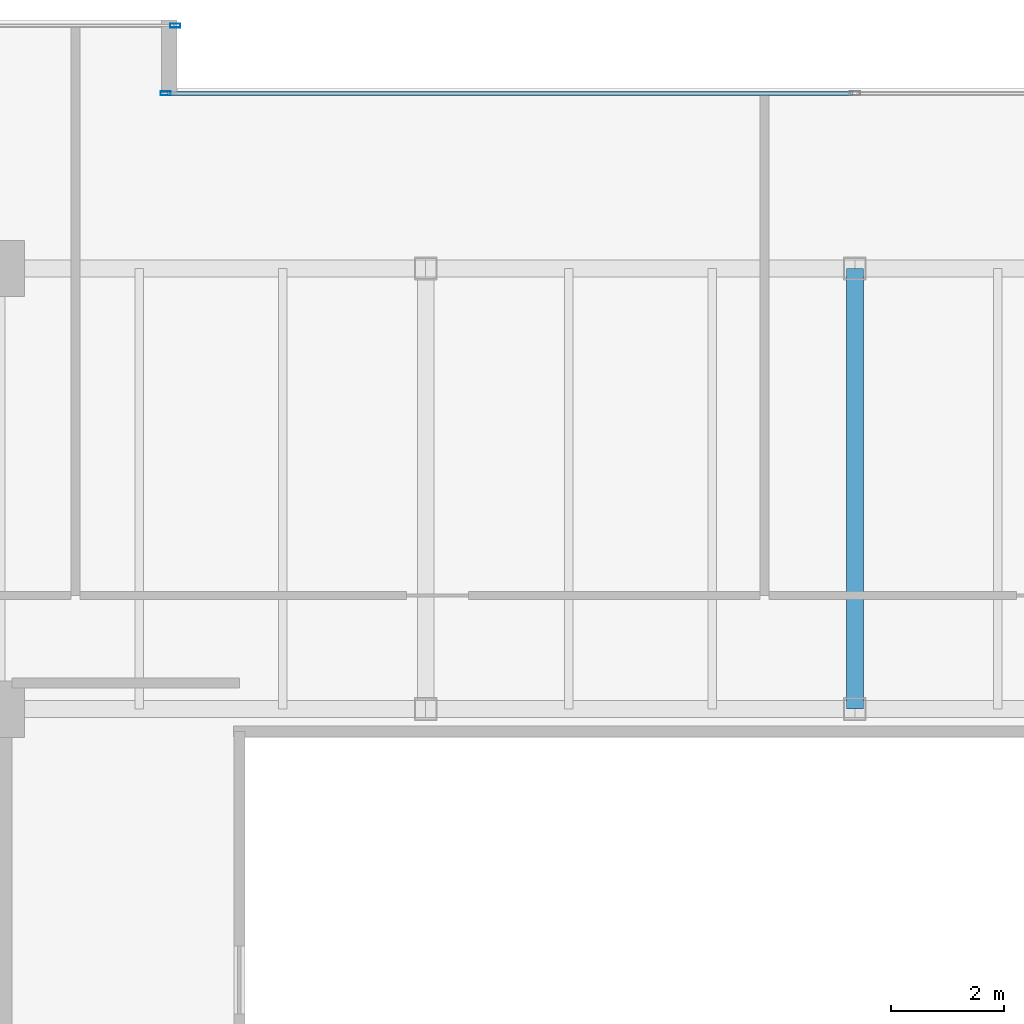
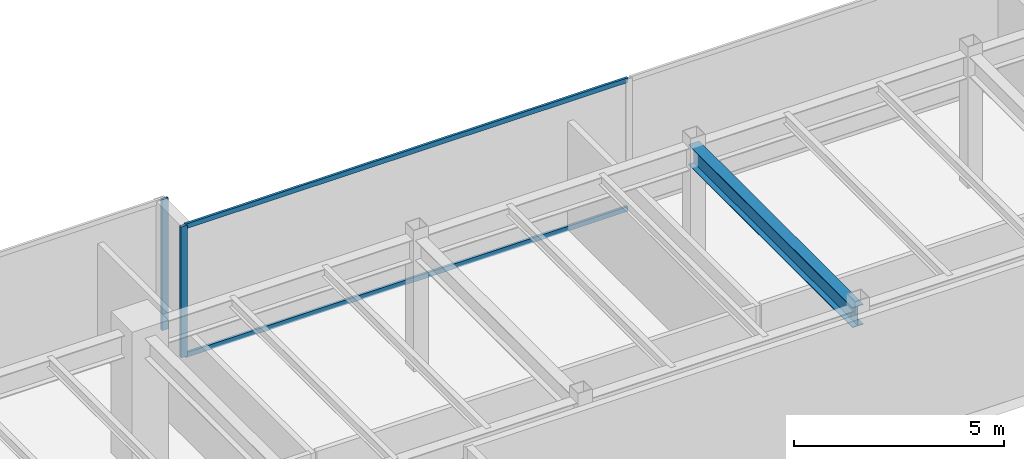
# One storey, part 17 of 33: 4 members, 1 beam, 2 elements without a shape of their own.
"""IFC4 building model written with IfcOpenShell, lengths in metres."""

import ifcopenshell
import ifcopenshell.guid

model = None  # the IFC model being written
_history = None  # IfcOwnerHistory: only IFC2X3 demands one
_inside = {}  # id of a spatial element -> (the spatial element, [elements in it])
_under = {}  # id of a project, library or spatial element -> (it, [spatial elements below it])
_declared = {}  # id of a project -> (the project, [libraries it declares])
_typed = {}  # id of a type object -> (the type object, [elements of that type])
_made_of = {}  # id of a material, layer set ... -> (it, [elements and type objects made of it])


def new_model(schema):
    """Start an empty IFC model of exactly this schema.

    Asked for "IFC4X3", IfcOpenShell would pick the latest addendum, in which some entities
    have other attributes; the version numbers below select the first issue.
    IFC2X3 requires an IfcOwnerHistory on every rooted entity: one is made here for all.
    """
    global model, _history
    if schema == "IFC4X3":
        model = ifcopenshell.file(schema_version=(4, 3, 0, 0))
    else:
        model = ifcopenshell.file(schema=schema)
    _inside.clear()
    _under.clear()
    _declared.clear()
    _typed.clear()
    _made_of.clear()
    _history = None
    if model.schema == "IFC2X3":
        org = make("IfcOrganization", Name="unknown")
        user = make(
            "IfcPersonAndOrganization",
            ThePerson=make("IfcPerson", FamilyName="unknown"),
            TheOrganization=org,
        )
        app = make(
            "IfcApplication",
            ApplicationDeveloper=org,
            Version="unknown",
            ApplicationFullName="unknown",
            ApplicationIdentifier="unknown",
        )
        _history = make(
            "IfcOwnerHistory",
            OwningUser=user,
            OwningApplication=app,
            ChangeAction="ADDED",
            CreationDate=0,
        )
    return model


def make(cls, **values):
    """One entity of the class cls with the attributes given. An attribute that is None is left unset."""
    return model.create_entity(
        cls, **{name: value for name, value in values.items() if value is not None}
    )


def rooted(cls, **values):
    """An entity with a GlobalId (a new one), such as an element, a storey or a relation."""
    return make(cls, GlobalId=ifcopenshell.guid.new(), OwnerHistory=_history, **values)


def si_unit(unit_type, name, prefix=None):
    """IfcSIUnit, for example si_unit("LENGTHUNIT", "METRE", prefix="MILLI")."""
    return make("IfcSIUnit", UnitType=unit_type, Prefix=prefix, Name=name)


def assignment(units):
    """IfcUnitAssignment: the units of a project."""
    return None if units is None else make("IfcUnitAssignment", Units=units)


def point(xyz):
    """IfcCartesianPoint."""
    return None if xyz is None else make("IfcCartesianPoint", Coordinates=xyz)


def direction(xyz):
    """IfcDirection."""
    return None if xyz is None else make("IfcDirection", DirectionRatios=xyz)


def frame(location, z_axis=None, x_axis=None):
    """IfcAxis2Placement3D, a coordinate frame: its origin and axes. An axis left out is left unset."""
    return make(
        "IfcAxis2Placement3D",
        Location=point(location),
        Axis=direction(z_axis),
        RefDirection=direction(x_axis),
    )


def frame_2d(location, x_axis=None):
    """IfcAxis2Placement2D, a coordinate frame in the plane: its origin and x axis."""
    return make(
        "IfcAxis2Placement2D", Location=point(location), RefDirection=direction(x_axis)
    )


def origin():
    """The frame at (0, 0, 0) with its axes left unset."""
    return frame((0.0, 0.0, 0.0))


def origin_2d():
    """The frame at (0, 0) in the plane with its x axis left unset."""
    return frame_2d((0.0, 0.0))


def place(relative_to, where):
    """IfcLocalPlacement: puts the frame where relative to a parent placement (None: the world)."""
    return make(
        "IfcLocalPlacement", PlacementRelTo=relative_to, RelativePlacement=where
    )


def context(
    kind, dimensions, precision=None, world=None, true_north=None, identifier=None
):
    """IfcGeometricRepresentationContext, for example the 3D "Model" context."""
    return make(
        "IfcGeometricRepresentationContext",
        ContextIdentifier=identifier,
        ContextType=kind,
        CoordinateSpaceDimension=dimensions,
        Precision=precision,
        WorldCoordinateSystem=world,
        TrueNorth=true_north,
    )


def subcontext(parent, identifier, kind, view, scale=None):
    """IfcGeometricRepresentationSubContext, for example "Body" below "Model"."""
    return make(
        "IfcGeometricRepresentationSubContext",
        ContextIdentifier=identifier,
        ContextType=kind,
        ParentContext=parent,
        TargetScale=scale,
        TargetView=view,
    )


def project(units=None, contexts=None):
    """IfcProject with its units and contexts."""
    return rooted(
        "IfcProject",
        Name="project",
        RepresentationContexts=contexts,
        UnitsInContext=assignment(units),
    )


def spatial(cls, under=None, at=None, **own):
    """A site, building, storey or space (cls), placed at a placement, below another one or the project."""
    s = rooted(cls, ObjectPlacement=at, **own)
    if under is not None:
        _under.setdefault(under.id(), (under, []))[1].append(s)
    return s


def profile(cls, at=None, kind="AREA", **sizes):
    """A parametric profile (cls). Its sizes go by their IFC names, for example OverallWidth=200.0."""
    return make(cls, ProfileType=kind, Position=at, **sizes)


def hollow_rectangle(**sizes):
    """IfcRectangleHollowProfileDef."""
    return profile("IfcRectangleHollowProfileDef", **sizes)


def i_section(**sizes):
    """IfcIShapeProfileDef."""
    return profile("IfcIShapeProfileDef", **sizes)


def extrude(swept, where, along, depth):
    """IfcExtrudedAreaSolid: the profile swept, set in the frame where, extruded along a direction by depth."""
    return make(
        "IfcExtrudedAreaSolid",
        SweptArea=swept,
        Position=where,
        ExtrudedDirection=direction(along),
        Depth=depth,
    )


def shape(context_of_items, identifier, shape_type, items):
    """IfcShapeRepresentation: the items that make up one representation, for example the "Body"."""
    return make(
        "IfcShapeRepresentation",
        ContextOfItems=context_of_items,
        RepresentationIdentifier=identifier,
        RepresentationType=shape_type,
        Items=items,
    )


def source(mapping_origin, context_of_items, identifier, shape_type, items):
    """IfcRepresentationMap: a shape defined once, which mapped items show again and again."""
    return make(
        "IfcRepresentationMap",
        MappingOrigin=mapping_origin,
        MappedRepresentation=shape(context_of_items, identifier, shape_type, items),
    )


def transform(
    local_origin,
    x_axis=None,
    y_axis=None,
    z_axis=None,
    scale=None,
    scale2=None,
    scale3=None,
    uniform=True,
):
    """IfcCartesianTransformationOperator3D, or its non-uniform kind. x_axis, y_axis, z_axis: its Axis1, 2, 3."""
    if uniform:
        return make(
            "IfcCartesianTransformationOperator3D",
            Axis1=direction(x_axis),
            Axis2=direction(y_axis),
            LocalOrigin=point(local_origin),
            Scale=scale,
            Axis3=direction(z_axis),
        )
    return make(
        "IfcCartesianTransformationOperator3DnonUniform",
        Axis1=direction(x_axis),
        Axis2=direction(y_axis),
        LocalOrigin=point(local_origin),
        Scale=scale,
        Axis3=direction(z_axis),
        Scale2=scale2,
        Scale3=scale3,
    )


def mapped(mapping_source, mapping_target):
    """IfcMappedItem: shows the shape of a source again, moved by a transform."""
    return make(
        "IfcMappedItem", MappingSource=mapping_source, MappingTarget=mapping_target
    )


def material(Name=None, Category=None):
    """IfcMaterial."""
    return make("IfcMaterial", Name=Name, Category=Category)


def layer(
    of_material, thickness, ventilated=None, Name=None, Category=None, Priority=None
):
    """IfcMaterialLayer: one layer of a wall or slab, of a material (None: an air gap)."""
    return make(
        "IfcMaterialLayer",
        Material=of_material,
        LayerThickness=thickness,
        IsVentilated=ventilated,
        Name=Name,
        Category=Category,
        Priority=Priority,
    )


def layer_set(layers, Name=None):
    """IfcMaterialLayerSet."""
    return make("IfcMaterialLayerSet", MaterialLayers=layers, LayerSetName=Name)


def material_profile(
    of_material, cross_section, Name=None, Category=None, Priority=None
):
    """IfcMaterialProfile: a cross section and its material."""
    return make(
        "IfcMaterialProfile",
        Name=Name,
        Material=of_material,
        Profile=cross_section,
        Priority=Priority,
        Category=Category,
    )


def profile_set(profiles, Name=None, composite=None):
    """IfcMaterialProfileSet."""
    return make(
        "IfcMaterialProfileSet",
        Name=Name,
        MaterialProfiles=profiles,
        CompositeProfile=composite,
    )


def made_of(thing, what):
    """Note that an element or type object is made of a material, layer set ...; save() writes the relation."""
    if what is not None:
        _made_of.setdefault(what.id(), (what, []))[1].append(thing)
    return thing


def type_object(cls, material=None, **own):
    """A type object (cls), such as IfcWallType, which elements share."""
    return made_of(rooted(cls, **own), material)


def type_shapes(of_type, sources):
    """Give a type object the sources (RepresentationMaps) that its elements show as mapped items."""
    of_type.RepresentationMaps = sources


def element(
    cls,
    number,
    at=None,
    inside=None,
    cuts=None,
    type_object=None,
    material=None,
    context=None,
    identifier="Body",
    shape_type=None,
    held_by="IfcProductDefinitionShape",
    body=None,
    shapes=None,
    **own,
):
    """One element of the class cls, such as IfcWall. Its Tag is "e" and its number.

    at: its placement. inside: the storey or other place that contains it. cuts: it is an
    opening in that element (IfcRelVoidsElement). A single representation is given by context,
    identifier, shape_type and body (its items); several are given by shapes. held_by: the class
    of the entity that holds the representations. save() writes the other relations.
    """
    e = rooted(cls, Tag="e%d" % number, ObjectPlacement=at, **own)
    if body is not None:
        shapes = [shape(context, identifier, shape_type, body)]
    if shapes is not None:
        e.Representation = make(held_by, Representations=shapes)
    if inside is not None:
        _inside.setdefault(inside.id(), (inside, []))[1].append(e)
    if cuts is not None:
        rooted(
            "IfcRelVoidsElement", RelatingBuildingElement=cuts, RelatedOpeningElement=e
        )
    if type_object is not None:
        _typed.setdefault(type_object.id(), (type_object, []))[1].append(e)
    return made_of(e, material)


def aggregate(whole, parts):
    """IfcRelAggregates: a whole, such as a stair, and the parts it consists of."""
    return rooted("IfcRelAggregates", RelatingObject=whole, RelatedObjects=parts)


def save(model, path):
    """Write the relations noted so far, then the file.

    IfcRelAggregates (storeys below a building ...), IfcRelContainedInSpatialStructure (elements
    in a storey), IfcRelDefinesByType, IfcRelAssociatesMaterial and IfcRelDeclares: one each for
    every whole, place, type object, material and project.
    """
    for whole, parts in _under.values():
        aggregate(whole, parts)
    for where, things in _inside.values():
        rooted(
            "IfcRelContainedInSpatialStructure",
            RelatedElements=things,
            RelatingStructure=where,
        )
    for kind, things in _typed.values():
        rooted("IfcRelDefinesByType", RelatedObjects=things, RelatingType=kind)
    for what, things in _made_of.values():
        rooted("IfcRelAssociatesMaterial", RelatedObjects=things, RelatingMaterial=what)
    for by, libraries in _declared.values():
        rooted("IfcRelDeclares", RelatingContext=by, RelatedDefinitions=libraries)
    model.write(path)


model = new_model("IFC4")

# Units and contexts
model_context = context("Model", 3, precision=1e-05, world=origin(), true_north=direction((0.0, 1.0)))
body_context = subcontext(model_context, "Body", "Model", "MODEL_VIEW")
ifc_project = project(units=[si_unit("LENGTHUNIT", "METRE"), si_unit("AREAUNIT", "SQUARE_METRE"), si_unit("VOLUMEUNIT", "CUBIC_METRE"), si_unit("PLANEANGLEUNIT", "RADIAN"), si_unit("MASSUNIT", "GRAM", prefix="KILO")], contexts=[model_context])

# Site, building, storey
site_placement = place(None, origin())
site = spatial("IfcSite", under=ifc_project, at=site_placement, CompositionType="ELEMENT")
building_placement = place(site_placement, origin())
building = spatial("IfcBuilding", under=site, at=building_placement, Name="Haelvirn Gate Laboratories", CompositionType="ELEMENT")
storey_placement = place(building_placement, frame((0.0, 0.0, 230.10009765625)))
storey = spatial("IfcBuildingStorey", under=building, at=storey_placement, Name="L55", CompositionType="ELEMENT", Elevation=230.10009765625)

# Beam
ifc_material_1 = material(Name="Steel SM355", Category="steel")
ifc_material_profile_1 = material_profile(ifc_material_1, i_section(OverallWidth=0.300048828125, OverallDepth=0.587890625, WebThickness=0.011962890625, FlangeThickness=0.02001953125, at=origin_2d()), Name="H-588x300x12x20")
ifc_profile_set_1 = profile_set([ifc_material_profile_1], Name="Steel SM355")
beam_type = type_object("IfcBeamType", Name="BM-G-588", PredefinedType="BEAM", material=ifc_profile_set_1)
shared_shape_1 = source(origin(), body_context, "Body", "SweptSolid", [
    extrude(i_section(OverallWidth=0.300048828125, OverallDepth=0.587890625, WebThickness=0.011962890625, FlangeThickness=0.02001953125, at=origin_2d()), origin(), (0.0, 0.0, 1.0), 7.800048828125),
])
type_shapes(beam_type, [shared_shape_1])
beam_placement = place(storey_placement, frame((37.39990234375, 33.800048828125, 3.505859375), z_axis=(0.0, 1.0, 0.0), x_axis=(-1.0, 0.0, 0.0)))
element("IfcBeam", 1, at=beam_placement, inside=storey, type_object=beam_type, Name="L55 Frame Girder X37.4 (33.8-41.6)", PredefinedType="BEAM", context=body_context, shape_type="MappedRepresentation", body=[
    mapped(shared_shape_1, transform((0.0, 0.0, 0.0), scale=1.0)),
])

# Curtain wall, members
ifc_material_2 = material(Name="Anodised bronze unitised aluminium & triple low-E glass", Category="aluminium")
ifc_layer = layer(ifc_material_2, 0.176025390625, Name="CW-SYS-4")
ifc_layer_set = layer_set([ifc_layer], Name="Anodised bronze unitised aluminium & triple low-E glass")
curtain_wall_type = type_object("IfcCurtainWallType", Name="CW-SYS-4", PredefinedType="NOTDEFINED", material=ifc_layer_set)
curtain_wall_1_placement = place(storey_placement, origin())
curtain_wall_1 = element("IfcCurtainWall", 2, at=curtain_wall_1_placement, inside=storey, type_object=curtain_wall_type, Name="L55 Unitised Curtain Wall CW-L55-P0-E12-1", PredefinedType="NOTDEFINED")
ifc_material_3 = material(Name="Extruded aluminium 6063-T6 (anodised bronze)", Category="aluminium")
ifc_material_profile_2 = material_profile(ifc_material_3, hollow_rectangle(XDim=0.06494140625, YDim=0.139892578125, WallThickness=0.00390625, at=origin_2d()), Name="CWT-140x65x4")
ifc_profile_set_2 = profile_set([ifc_material_profile_2], Name="Extruded aluminium 6063-T6 (anodised bronze)")
member_type_1 = type_object("IfcMemberType", Name="CWT-T140", PredefinedType="USERDEFINED", material=ifc_profile_set_2)
shared_shape_2 = source(origin(), body_context, "Body", "SweptSolid", [
    extrude(hollow_rectangle(XDim=0.06494140625, YDim=0.139892578125, WallThickness=0.00390625, at=origin_2d()), origin(), (0.0, 0.0, 1.0), 12.135009765625),
])
type_shapes(member_type_1, [shared_shape_2])
member_1_placement = place(storey_placement, frame((25.22998046875, 44.699951171875, 0.032470703125), z_axis=(1.0, 0.0, 0.0), x_axis=(0.0, 1.0, 0.0)))
member_1 = element("IfcMember", 3, at=member_1_placement, type_object=member_type_1, Name="CW4 transom 1.1", ObjectType="TRANSOM", PredefinedType="USERDEFINED", context=body_context, shape_type="MappedRepresentation", body=[
    mapped(shared_shape_2, transform((0.0, 0.0, 0.0), scale=1.0)),
])
member_2_placement = place(storey_placement, frame((25.22998046875, 44.699951171875, 3.767333984375), z_axis=(1.0, 0.0, 0.0), x_axis=(0.0, 1.0, 0.0)))
member_2 = element("IfcMember", 4, at=member_2_placement, type_object=member_type_1, Name="CW4 transom 1.2", ObjectType="TRANSOM", PredefinedType="USERDEFINED", context=body_context, shape_type="MappedRepresentation", body=[
    mapped(shared_shape_2, transform((0.0, 0.0, 0.0), scale=1.0)),
])
ifc_material_profile_3 = material_profile(ifc_material_3, hollow_rectangle(XDim=0.070068359375, YDim=0.179931640625, WallThickness=0.0048828125, at=origin_2d()), Name="CWM-180x70x5")
ifc_profile_set_3 = profile_set([ifc_material_profile_3], Name="Extruded aluminium 6063-T6 (anodised bronze)")
member_type_2 = type_object("IfcMemberType", Name="CWM-T180", PredefinedType="MULLION", material=ifc_profile_set_3)
shared_shape_3 = source(origin(), body_context, "Body", "SweptSolid", [
    extrude(hollow_rectangle(XDim=0.070068359375, YDim=0.179931640625, WallThickness=0.0048828125, at=origin_2d()), origin(), (0.0, 0.0, 1.0), 3.7998046875),
])
type_shapes(member_type_2, [shared_shape_3])
member_3_placement = place(storey_placement, frame((25.195068359375, 44.699951171875, 0.0), z_axis=(0.0, 0.0, 1.0), x_axis=(0.0, 1.0, 0.0)))
member_3 = element("IfcMember", 5, at=member_3_placement, type_object=member_type_2, Name="CW4 mullion 1", PredefinedType="MULLION", context=body_context, shape_type="MappedRepresentation", body=[
    mapped(shared_shape_3, transform((0.0, 0.0, 0.0), scale=1.0)),
])
aggregate(curtain_wall_1, [member_3, member_1, member_2])

# Curtain wall, member
curtain_wall_2_placement = place(storey_placement, origin())
curtain_wall_2 = element("IfcCurtainWall", 6, at=curtain_wall_2_placement, inside=storey, type_object=curtain_wall_type, Name="L55 Unitised Curtain Wall CW-L55-P0-E14-1", PredefinedType="NOTDEFINED")
member_4_placement = place(storey_placement, frame((25.364990234375, 45.89990234375, 0.0), z_axis=(0.0, 0.0, 1.0), x_axis=(0.0, 1.0, 0.0)))
member_4 = element("IfcMember", 7, at=member_4_placement, type_object=member_type_2, Name="CW4 mullion 3", PredefinedType="MULLION", context=body_context, shape_type="MappedRepresentation", body=[
    mapped(shared_shape_3, transform((0.0, 0.0, 0.0), scale=1.0)),
])
aggregate(curtain_wall_2, [member_4])

save(model, "model.ifc")
